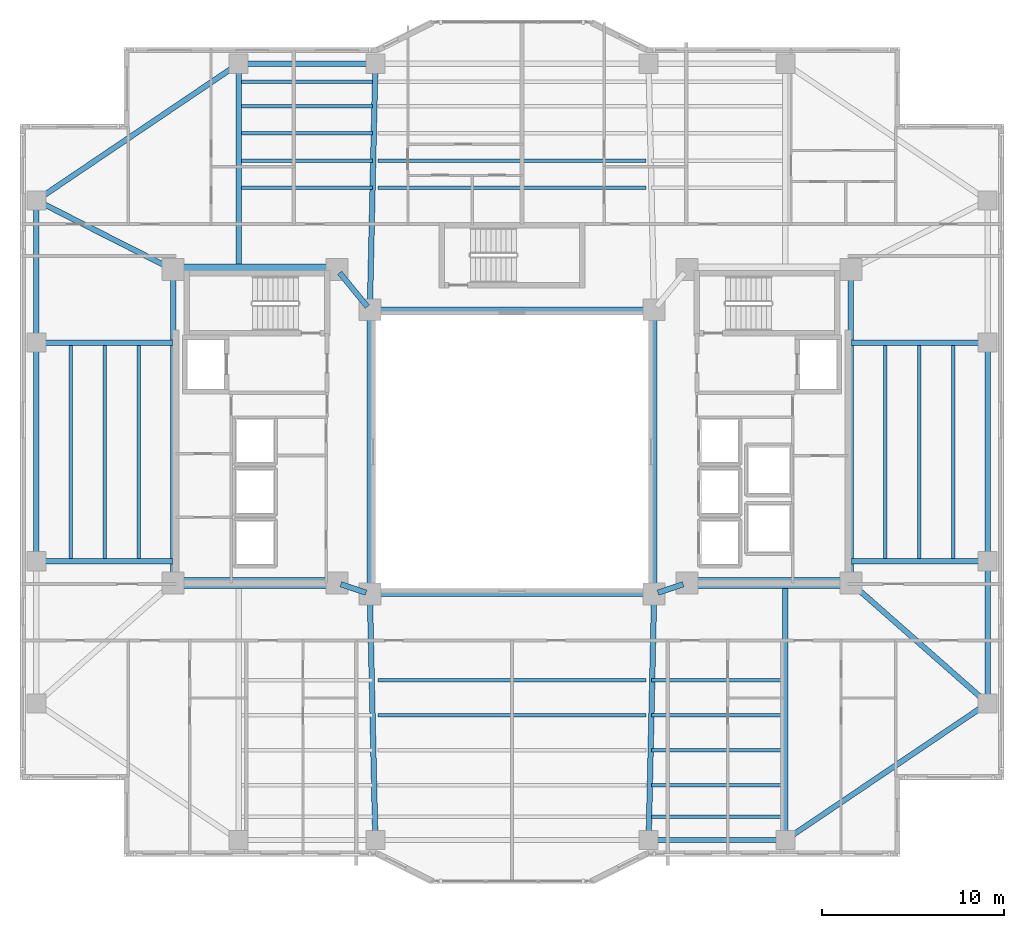
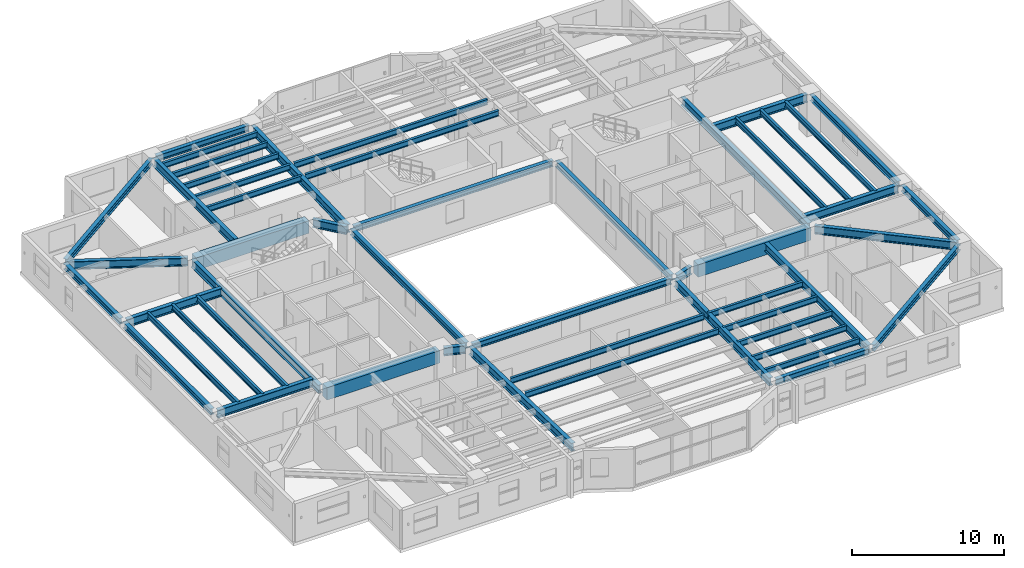
# One storey, part 3 of 18: 51 beams.
"""IFC4 building model written with IfcOpenShell, lengths in metres."""

import ifcopenshell
import ifcopenshell.guid

model = None  # the IFC model being written
_history = None  # IfcOwnerHistory: only IFC2X3 demands one
_inside = {}  # id of a spatial element -> (the spatial element, [elements in it])
_under = {}  # id of a project, library or spatial element -> (it, [spatial elements below it])
_declared = {}  # id of a project -> (the project, [libraries it declares])
_typed = {}  # id of a type object -> (the type object, [elements of that type])
_made_of = {}  # id of a material, layer set ... -> (it, [elements and type objects made of it])


def new_model(schema):
    """Start an empty IFC model of exactly this schema.

    Asked for "IFC4X3", IfcOpenShell would pick the latest addendum, in which some entities
    have other attributes; the version numbers below select the first issue.
    IFC2X3 requires an IfcOwnerHistory on every rooted entity: one is made here for all.
    """
    global model, _history
    if schema == "IFC4X3":
        model = ifcopenshell.file(schema_version=(4, 3, 0, 0))
    else:
        model = ifcopenshell.file(schema=schema)
    _inside.clear()
    _under.clear()
    _declared.clear()
    _typed.clear()
    _made_of.clear()
    _history = None
    if model.schema == "IFC2X3":
        org = make("IfcOrganization", Name="unknown")
        user = make(
            "IfcPersonAndOrganization",
            ThePerson=make("IfcPerson", FamilyName="unknown"),
            TheOrganization=org,
        )
        app = make(
            "IfcApplication",
            ApplicationDeveloper=org,
            Version="unknown",
            ApplicationFullName="unknown",
            ApplicationIdentifier="unknown",
        )
        _history = make(
            "IfcOwnerHistory",
            OwningUser=user,
            OwningApplication=app,
            ChangeAction="ADDED",
            CreationDate=0,
        )
    return model


def make(cls, **values):
    """One entity of the class cls with the attributes given. An attribute that is None is left unset."""
    return model.create_entity(
        cls, **{name: value for name, value in values.items() if value is not None}
    )


def rooted(cls, **values):
    """An entity with a GlobalId (a new one), such as an element, a storey or a relation."""
    return make(cls, GlobalId=ifcopenshell.guid.new(), OwnerHistory=_history, **values)


def si_unit(unit_type, name, prefix=None):
    """IfcSIUnit, for example si_unit("LENGTHUNIT", "METRE", prefix="MILLI")."""
    return make("IfcSIUnit", UnitType=unit_type, Prefix=prefix, Name=name)


def assignment(units):
    """IfcUnitAssignment: the units of a project."""
    return None if units is None else make("IfcUnitAssignment", Units=units)


def point(xyz):
    """IfcCartesianPoint."""
    return None if xyz is None else make("IfcCartesianPoint", Coordinates=xyz)


def direction(xyz):
    """IfcDirection."""
    return None if xyz is None else make("IfcDirection", DirectionRatios=xyz)


def frame(location, z_axis=None, x_axis=None):
    """IfcAxis2Placement3D, a coordinate frame: its origin and axes. An axis left out is left unset."""
    return make(
        "IfcAxis2Placement3D",
        Location=point(location),
        Axis=direction(z_axis),
        RefDirection=direction(x_axis),
    )


def frame_2d(location, x_axis=None):
    """IfcAxis2Placement2D, a coordinate frame in the plane: its origin and x axis."""
    return make(
        "IfcAxis2Placement2D", Location=point(location), RefDirection=direction(x_axis)
    )


def origin():
    """The frame at (0, 0, 0) with its axes left unset."""
    return frame((0.0, 0.0, 0.0))


def origin_2d():
    """The frame at (0, 0) in the plane with its x axis left unset."""
    return frame_2d((0.0, 0.0))


def place(relative_to, where):
    """IfcLocalPlacement: puts the frame where relative to a parent placement (None: the world)."""
    return make(
        "IfcLocalPlacement", PlacementRelTo=relative_to, RelativePlacement=where
    )


def context(
    kind, dimensions, precision=None, world=None, true_north=None, identifier=None
):
    """IfcGeometricRepresentationContext, for example the 3D "Model" context."""
    return make(
        "IfcGeometricRepresentationContext",
        ContextIdentifier=identifier,
        ContextType=kind,
        CoordinateSpaceDimension=dimensions,
        Precision=precision,
        WorldCoordinateSystem=world,
        TrueNorth=true_north,
    )


def subcontext(parent, identifier, kind, view, scale=None):
    """IfcGeometricRepresentationSubContext, for example "Body" below "Model"."""
    return make(
        "IfcGeometricRepresentationSubContext",
        ContextIdentifier=identifier,
        ContextType=kind,
        ParentContext=parent,
        TargetScale=scale,
        TargetView=view,
    )


def project(units=None, contexts=None):
    """IfcProject with its units and contexts."""
    return rooted(
        "IfcProject",
        Name="project",
        RepresentationContexts=contexts,
        UnitsInContext=assignment(units),
    )


def spatial(cls, under=None, at=None, **own):
    """A site, building, storey or space (cls), placed at a placement, below another one or the project."""
    s = rooted(cls, ObjectPlacement=at, **own)
    if under is not None:
        _under.setdefault(under.id(), (under, []))[1].append(s)
    return s


def profile(cls, at=None, kind="AREA", **sizes):
    """A parametric profile (cls). Its sizes go by their IFC names, for example OverallWidth=200.0."""
    return make(cls, ProfileType=kind, Position=at, **sizes)


def rectangle(**sizes):
    """IfcRectangleProfileDef."""
    return profile("IfcRectangleProfileDef", **sizes)


def i_section(**sizes):
    """IfcIShapeProfileDef."""
    return profile("IfcIShapeProfileDef", **sizes)


def extrude(swept, where, along, depth):
    """IfcExtrudedAreaSolid: the profile swept, set in the frame where, extruded along a direction by depth."""
    return make(
        "IfcExtrudedAreaSolid",
        SweptArea=swept,
        Position=where,
        ExtrudedDirection=direction(along),
        Depth=depth,
    )


def shape(context_of_items, identifier, shape_type, items):
    """IfcShapeRepresentation: the items that make up one representation, for example the "Body"."""
    return make(
        "IfcShapeRepresentation",
        ContextOfItems=context_of_items,
        RepresentationIdentifier=identifier,
        RepresentationType=shape_type,
        Items=items,
    )


def material(Name=None, Category=None):
    """IfcMaterial."""
    return make("IfcMaterial", Name=Name, Category=Category)


def material_profile(
    of_material, cross_section, Name=None, Category=None, Priority=None
):
    """IfcMaterialProfile: a cross section and its material."""
    return make(
        "IfcMaterialProfile",
        Name=Name,
        Material=of_material,
        Profile=cross_section,
        Priority=Priority,
        Category=Category,
    )


def profile_set(profiles, Name=None, composite=None):
    """IfcMaterialProfileSet."""
    return make(
        "IfcMaterialProfileSet",
        Name=Name,
        MaterialProfiles=profiles,
        CompositeProfile=composite,
    )


def made_of(thing, what):
    """Note that an element or type object is made of a material, layer set ...; save() writes the relation."""
    if what is not None:
        _made_of.setdefault(what.id(), (what, []))[1].append(thing)
    return thing


def type_object(cls, material=None, **own):
    """A type object (cls), such as IfcWallType, which elements share."""
    return made_of(rooted(cls, **own), material)


def element(
    cls,
    number,
    at=None,
    inside=None,
    cuts=None,
    type_object=None,
    material=None,
    context=None,
    identifier="Body",
    shape_type=None,
    held_by="IfcProductDefinitionShape",
    body=None,
    shapes=None,
    **own,
):
    """One element of the class cls, such as IfcWall. Its Tag is "e" and its number.

    at: its placement. inside: the storey or other place that contains it. cuts: it is an
    opening in that element (IfcRelVoidsElement). A single representation is given by context,
    identifier, shape_type and body (its items); several are given by shapes. held_by: the class
    of the entity that holds the representations. save() writes the other relations.
    """
    e = rooted(cls, Tag="e%d" % number, ObjectPlacement=at, **own)
    if body is not None:
        shapes = [shape(context, identifier, shape_type, body)]
    if shapes is not None:
        e.Representation = make(held_by, Representations=shapes)
    if inside is not None:
        _inside.setdefault(inside.id(), (inside, []))[1].append(e)
    if cuts is not None:
        rooted(
            "IfcRelVoidsElement", RelatingBuildingElement=cuts, RelatedOpeningElement=e
        )
    if type_object is not None:
        _typed.setdefault(type_object.id(), (type_object, []))[1].append(e)
    return made_of(e, material)


def aggregate(whole, parts):
    """IfcRelAggregates: a whole, such as a stair, and the parts it consists of."""
    return rooted("IfcRelAggregates", RelatingObject=whole, RelatedObjects=parts)


def save(model, path):
    """Write the relations noted so far, then the file.

    IfcRelAggregates (storeys below a building ...), IfcRelContainedInSpatialStructure (elements
    in a storey), IfcRelDefinesByType, IfcRelAssociatesMaterial and IfcRelDeclares: one each for
    every whole, place, type object, material and project.
    """
    for whole, parts in _under.values():
        aggregate(whole, parts)
    for where, things in _inside.values():
        rooted(
            "IfcRelContainedInSpatialStructure",
            RelatedElements=things,
            RelatingStructure=where,
        )
    for kind, things in _typed.values():
        rooted("IfcRelDefinesByType", RelatedObjects=things, RelatingType=kind)
    for what, things in _made_of.values():
        rooted("IfcRelAssociatesMaterial", RelatedObjects=things, RelatingMaterial=what)
    for by, libraries in _declared.values():
        rooted("IfcRelDeclares", RelatingContext=by, RelatedDefinitions=libraries)
    model.write(path)


model = new_model("IFC4")

# Units and contexts
model_context = context("Model", 3, precision=1e-05, world=origin(), true_north=direction((0.0, 1.0)))
body_context = subcontext(model_context, "Body", "Model", "MODEL_VIEW")
ifc_project = project(units=[si_unit("LENGTHUNIT", "METRE"), si_unit("AREAUNIT", "SQUARE_METRE"), si_unit("VOLUMEUNIT", "CUBIC_METRE"), si_unit("PLANEANGLEUNIT", "RADIAN"), si_unit("MASSUNIT", "GRAM", prefix="KILO")], contexts=[model_context])

# Site, building, storey
site_placement = place(None, origin())
site = spatial("IfcSite", under=ifc_project, at=site_placement, CompositionType="ELEMENT")
building_placement = place(site_placement, origin())
building = spatial("IfcBuilding", under=site, at=building_placement, Name="Tarnavaz Court Tower", CompositionType="ELEMENT")
storey_placement = place(building_placement, frame((0.0, 0.0, 101.75)))
storey = spatial("IfcBuildingStorey", under=building, at=storey_placement, Name="L27", CompositionType="ELEMENT", Elevation=101.75)

# Beams
ifc_material_1 = material(Name="Concrete C60/75", Category="concrete")
ifc_material_profile_1 = material_profile(ifc_material_1, rectangle(XDim=0.60009765625, YDim=1.0, at=origin_2d()), Name="RC 600X1000")
ifc_profile_set_1 = profile_set([ifc_material_profile_1], Name="Concrete C60/75")
beam_type_1 = type_object("IfcBeamType", Name="BM-CB1000", PredefinedType="LINTEL", material=ifc_profile_set_1)
for number, where, z_axis, x_axis, name in (
    (1, (-18.3798828125, -7.199951171875, 2.60009765625), (1.0, 0.0, 0.0), (0.0, 1.0, 0.0), "L27 Beam IN-CW-SO-CW-SI"),
    (2, (-18.3798828125, 10.0, 2.60009765625), (1.0, 0.0, 0.0), (0.0, 1.0, 0.0), "L27 Beam IN-CW-NO-CW-NI"),
    (3, (18.3798828125, -7.199951171875, 2.60009765625), (-1.0, 0.0, 0.0), (0.0, -1.0, 0.0), "L27 Beam IN-CE-SO-CE-SI"),
):
    element("IfcBeam", number, at=place(storey_placement, frame(where, z_axis=z_axis, x_axis=x_axis)), inside=storey, type_object=beam_type_1, Name=name, PredefinedType="LINTEL", context=body_context, shape_type="SweptSolid", body=[
        extrude(rectangle(XDim=0.60009765625, YDim=1.0, at=origin_2d()), origin(), (0.0, 0.0, 1.0), 8.559814453125),
    ])
ifc_material_2 = material(Name="Steel S355", Category="steel")
ifc_material_profile_2 = material_profile(ifc_material_2, i_section(OverallWidth=0.300048828125, OverallDepth=0.64990234375, WebThickness=0.01611328125, FlangeThickness=0.031005859375, FilletRadius=0.027099609375, at=origin_2d()), Name="HEB 650")
ifc_profile_set_2 = profile_set([ifc_material_profile_2], Name="Steel S355")
beam_type_2 = type_object("IfcBeamType", Name="BM-G-HEB650", PredefinedType="USERDEFINED", material=ifc_profile_set_2)
for number, where, z_axis, x_axis, name in (
    (4, (-9.391357421875, -7.26953125, 2.77490234375), (0.948666544706, -0.316278021615, 0.0), (0.316278021615, 0.948666544706, 0.0), "L27 Beam IN-CW-SI-IW-SW"),
    (5, (9.391357421875, -7.26953125, 2.77490234375), (-0.948666544706, -0.316278021615, 0.0), (0.316278021615, -0.948666544706, 0.0), "L27 Beam IN-CE-SI-IW-SE"),
):
    element("IfcBeam", number, at=place(storey_placement, frame(where, z_axis=z_axis, x_axis=x_axis)), inside=storey, type_object=beam_type_2, Name=name, ObjectType="GIRDER", PredefinedType="USERDEFINED", context=body_context, shape_type="SweptSolid", body=[
        extrude(i_section(OverallWidth=0.300048828125, OverallDepth=0.64990234375, WebThickness=0.01611328125, FlangeThickness=0.031005859375, FilletRadius=0.027099609375, at=origin_2d()), origin(), (0.0, 0.0, 1.0), 1.457275390625),
    ])
beam_1_placement = place(storey_placement, frame((-9.460693359375, 9.82958984375, 2.77490234375), z_axis=(0.633282058357, -0.773921077735, 0.0), x_axis=(0.773921077735, 0.633282058357, 0.0)))
element("IfcBeam", 6, at=beam_1_placement, inside=storey, type_object=beam_type_2, Name="L27 Beam IN-CW-NI-IW-NW", ObjectType="GIRDER", PredefinedType="USERDEFINED", context=body_context, shape_type="SweptSolid", body=[
    extrude(i_section(OverallWidth=0.300048828125, OverallDepth=0.64990234375, WebThickness=0.01611328125, FlangeThickness=0.031005859375, FilletRadius=0.027099609375, at=origin_2d()), origin(), (0.0, 0.0, 1.0), 2.402587890625),
])
for number, where, z_axis, x_axis, name in (
    (7, (-18.60009765625, -6.97998046875, 2.77490234375), (0.0, 1.0, 0.0), (-1.0, 0.0, 0.0), "L27 Beam IN-CW-SO-CW-NO"),
    (8, (18.60009765625, -6.97998046875, 2.77490234375), (0.0, 1.0, 0.0), (-1.0, 0.0, 0.0), "L27 Beam IN-CE-SO-CE-NO"),
):
    element("IfcBeam", number, at=place(storey_placement, frame(where, z_axis=z_axis, x_axis=x_axis)), inside=storey, type_object=beam_type_2, Name=name, ObjectType="GIRDER", PredefinedType="USERDEFINED", context=body_context, shape_type="SweptSolid", body=[
        extrude(i_section(OverallWidth=0.300048828125, OverallDepth=0.64990234375, WebThickness=0.01611328125, FlangeThickness=0.031005859375, FilletRadius=0.027099609375, at=origin_2d()), origin(), (0.0, 0.0, 1.0), 16.760009765625),
    ])
beam_2_placement = place(storey_placement, frame((-15.0, 10.0400390625, 2.77490234375), z_axis=(0.0, 1.0, 0.0), x_axis=(-1.0, 0.0, 0.0)))
element("IfcBeam", 9, at=beam_2_placement, inside=storey, type_object=beam_type_2, Name="L27 Beam RG-01", ObjectType="GIRDER", PredefinedType="USERDEFINED", context=body_context, shape_type="SweptSolid", body=[
    extrude(i_section(OverallWidth=0.300048828125, OverallDepth=0.64990234375, WebThickness=0.01611328125, FlangeThickness=0.031005859375, FilletRadius=0.027099609375, at=origin_2d()), origin(), (0.0, 0.0, 1.0), 11.0400390625),
])
for number, where, z_axis, x_axis, name in (
    (10, (-7.795166015625, 8.02001953125, 2.77490234375), (0.022221303469, 0.99975307635, 0.0), (-0.99975307635, 0.022221303469, 0.0), "L27 Beam RG-02"),
    (11, (-7.795166015625, -8.02001953125, 2.77490234375), (0.022221303469, -0.99975307635, 0.0), (0.99975307635, 0.022221303469, 0.0), "L27 Beam RG-06"),
    (12, (7.795166015625, -8.02001953125, 2.77490234375), (-0.022221303469, -0.99975307635, 0.0), (0.99975307635, -0.022221303469, 0.0), "L27 Beam RG-07"),
):
    element("IfcBeam", number, at=place(storey_placement, frame(where, z_axis=z_axis, x_axis=x_axis)), inside=storey, type_object=beam_type_2, Name=name, ObjectType="GIRDER", PredefinedType="USERDEFINED", context=body_context, shape_type="SweptSolid", body=[
        extrude(i_section(OverallWidth=0.300048828125, OverallDepth=0.64990234375, WebThickness=0.01611328125, FlangeThickness=0.031005859375, FilletRadius=0.027099609375, at=origin_2d()), origin(), (0.0, 0.0, 1.0), 13.063232421875),
    ])
beam_3_placement = place(storey_placement, frame((15.0, -7.239990234375, 2.77490234375), z_axis=(0.0, -1.0, 0.0), x_axis=(1.0, 0.0, 0.0)))
element("IfcBeam", 13, at=beam_3_placement, inside=storey, type_object=beam_type_2, Name="L27 Beam RG-08", ObjectType="GIRDER", PredefinedType="USERDEFINED", context=body_context, shape_type="SweptSolid", body=[
    extrude(i_section(OverallWidth=0.300048828125, OverallDepth=0.64990234375, WebThickness=0.01611328125, FlangeThickness=0.031005859375, FilletRadius=0.027099609375, at=origin_2d()), origin(), (0.0, 0.0, 1.0), 13.840087890625),
])
for number, where, z_axis, x_axis, name in (
    (14, (18.639892578125, -6.0, 2.77490234375), (1.0, 0.0, 0.0), (0.0, 1.0, 0.0), "L27 Beam RG-09"),
    (15, (18.639892578125, 6.0, 2.77490234375), (1.0, 0.0, 0.0), (0.0, 1.0, 0.0), "L27 Beam RG-10"),
):
    element("IfcBeam", number, at=place(storey_placement, frame(where, z_axis=z_axis, x_axis=x_axis)), inside=storey, type_object=beam_type_2, Name=name, ObjectType="GIRDER", PredefinedType="USERDEFINED", context=body_context, shape_type="SweptSolid", body=[
        extrude(i_section(OverallWidth=0.300048828125, OverallDepth=0.64990234375, WebThickness=0.01611328125, FlangeThickness=0.031005859375, FilletRadius=0.027099609375, at=origin_2d()), origin(), (0.0, 0.0, 1.0), 7.239990234375),
    ])
beam_4_placement = place(storey_placement, frame((18.76513671875, -7.34521484375, 2.77490234375), z_axis=(0.750700332035, -0.660642877417, 0.0), x_axis=(0.660642877417, 0.750700332035, 0.0)))
element("IfcBeam", 16, at=beam_4_placement, inside=storey, type_object=beam_type_2, Name="L27 Beam RG-11", ObjectType="GIRDER", PredefinedType="USERDEFINED", context=body_context, shape_type="SweptSolid", body=[
    extrude(i_section(OverallWidth=0.300048828125, OverallDepth=0.64990234375, WebThickness=0.01611328125, FlangeThickness=0.031005859375, FilletRadius=0.027099609375, at=origin_2d()), origin(), (0.0, 0.0, 1.0), 9.550537109375),
])
for number, where, z_axis, x_axis, name in (
    (17, (-18.639892578125, -6.0, 2.77490234375), (-1.0, 0.0, 0.0), (0.0, -1.0, 0.0), "L27 Beam RG-13"),
    (18, (-18.639892578125, 6.0, 2.77490234375), (-1.0, 0.0, 0.0), (0.0, -1.0, 0.0), "L27 Beam RG-14"),
):
    element("IfcBeam", number, at=place(storey_placement, frame(where, z_axis=z_axis, x_axis=x_axis)), inside=storey, type_object=beam_type_2, Name=name, ObjectType="GIRDER", PredefinedType="USERDEFINED", context=body_context, shape_type="SweptSolid", body=[
        extrude(i_section(OverallWidth=0.300048828125, OverallDepth=0.64990234375, WebThickness=0.01611328125, FlangeThickness=0.031005859375, FilletRadius=0.027099609375, at=origin_2d()), origin(), (0.0, 0.0, 1.0), 7.239990234375),
    ])
beam_5_placement = place(storey_placement, frame((-18.796142578125, 10.099365234375, 2.77490234375), z_axis=(-0.892030669981, 0.451974870776, 0.0), x_axis=(-0.451974870776, -0.892030669981, 0.0)))
element("IfcBeam", 19, at=beam_5_placement, inside=storey, type_object=beam_type_2, Name="L27 Beam RG-16", ObjectType="GIRDER", PredefinedType="USERDEFINED", context=body_context, shape_type="SweptSolid", body=[
    extrude(i_section(OverallWidth=0.300048828125, OverallDepth=0.64990234375, WebThickness=0.01611328125, FlangeThickness=0.031005859375, FilletRadius=0.027099609375, at=origin_2d()), origin(), (0.0, 0.0, 1.0), 7.968017578125),
])
ifc_material_profile_3 = material_profile(ifc_material_2, i_section(OverallWidth=0.18994140625, OverallDepth=0.449951171875, WebThickness=0.009521484375, FlangeThickness=0.0146484375, FilletRadius=0.02099609375, at=origin_2d()), Name="IPE 450")
ifc_profile_set_3 = profile_set([ifc_material_profile_3], Name="Steel S355")
beam_type_3 = type_object("IfcBeamType", Name="BM-J-IPE450", PredefinedType="JOIST", material=ifc_profile_set_3)
beam_6_placement = place(storey_placement, frame((-14.85009765625, 14.493896484375, 2.875), z_axis=(1.0, 0.0, 0.0), x_axis=(0.0, 1.0, 0.0)))
element("IfcBeam", 20, at=beam_6_placement, inside=storey, type_object=beam_type_3, Name="L27 Beam JN1-1", PredefinedType="JOIST", context=body_context, shape_type="SweptSolid", body=[
    extrude(i_section(OverallWidth=0.18994140625, OverallDepth=0.449951171875, WebThickness=0.009521484375, FlangeThickness=0.0146484375, FilletRadius=0.02099609375, at=origin_2d()), origin(), (0.0, 0.0, 1.0), 7.2001953125),
])
for number, where, z_axis, x_axis, name in (
    (21, (-7.35009765625, 14.493896484375, 2.875), (1.0, 0.0, 0.0), (0.0, 1.0, 0.0), "L27 Beam JN1-2"),
    (22, (-7.35009765625, -12.52587890625, 2.875), (1.0, 0.0, 0.0), (0.0, 1.0, 0.0), "L27 Beam JS1-2"),
):
    element("IfcBeam", number, at=place(storey_placement, frame(where, z_axis=z_axis, x_axis=x_axis)), inside=storey, type_object=beam_type_3, Name=name, PredefinedType="JOIST", context=body_context, shape_type="SweptSolid", body=[
        extrude(i_section(OverallWidth=0.18994140625, OverallDepth=0.449951171875, WebThickness=0.009521484375, FlangeThickness=0.0146484375, FilletRadius=0.02099609375, at=origin_2d()), origin(), (0.0, 0.0, 1.0), 14.7001953125),
    ])
for number, where, z_axis, x_axis, name in (
    (23, (7.64990234375, -12.52587890625, 2.875), (1.0, 0.0, 0.0), (0.0, 1.0, 0.0), "L27 Beam JS1-3"),
    (24, (-14.85009765625, 15.988037109375, 2.875), (1.0, 0.0, 0.0), (0.0, 1.0, 0.0), "L27 Beam JN2-1"),
):
    element("IfcBeam", number, at=place(storey_placement, frame(where, z_axis=z_axis, x_axis=x_axis)), inside=storey, type_object=beam_type_3, Name=name, PredefinedType="JOIST", context=body_context, shape_type="SweptSolid", body=[
        extrude(i_section(OverallWidth=0.18994140625, OverallDepth=0.449951171875, WebThickness=0.009521484375, FlangeThickness=0.0146484375, FilletRadius=0.02099609375, at=origin_2d()), origin(), (0.0, 0.0, 1.0), 7.2001953125),
    ])
for number, where, z_axis, x_axis, name in (
    (25, (-7.35009765625, 15.988037109375, 2.875), (1.0, 0.0, 0.0), (0.0, 1.0, 0.0), "L27 Beam JN2-2"),
    (26, (-7.35009765625, -14.451904296875, 2.875), (1.0, 0.0, 0.0), (0.0, 1.0, 0.0), "L27 Beam JS2-2"),
):
    element("IfcBeam", number, at=place(storey_placement, frame(where, z_axis=z_axis, x_axis=x_axis)), inside=storey, type_object=beam_type_3, Name=name, PredefinedType="JOIST", context=body_context, shape_type="SweptSolid", body=[
        extrude(i_section(OverallWidth=0.18994140625, OverallDepth=0.449951171875, WebThickness=0.009521484375, FlangeThickness=0.0146484375, FilletRadius=0.02099609375, at=origin_2d()), origin(), (0.0, 0.0, 1.0), 14.7001953125),
    ])
for number, where, z_axis, x_axis, name in (
    (27, (7.64990234375, -14.451904296875, 2.875), (1.0, 0.0, 0.0), (0.0, 1.0, 0.0), "L27 Beam JS2-3"),
    (28, (-14.85009765625, 17.48193359375, 2.875), (1.0, 0.0, 0.0), (0.0, 1.0, 0.0), "L27 Beam JN3-1"),
    (29, (7.64990234375, -16.3779296875, 2.875), (1.0, 0.0, 0.0), (0.0, 1.0, 0.0), "L27 Beam JS3-3"),
    (30, (-14.85009765625, 18.97607421875, 2.875), (1.0, 0.0, 0.0), (0.0, 1.0, 0.0), "L27 Beam JN4-1"),
    (31, (7.64990234375, -18.303955078125, 2.875), (1.0, 0.0, 0.0), (0.0, 1.0, 0.0), "L27 Beam JS4-3"),
    (32, (-14.85009765625, 20.303955078125, 2.875), (1.0, 0.0, 0.0), (0.0, 1.0, 0.0), "L27 Beam JN5-1"),
    (33, (7.64990234375, -20.01611328125, 2.875), (1.0, 0.0, 0.0), (0.0, 1.0, 0.0), "L27 Beam JS5-3"),
):
    element("IfcBeam", number, at=place(storey_placement, frame(where, z_axis=z_axis, x_axis=x_axis)), inside=storey, type_object=beam_type_3, Name=name, PredefinedType="JOIST", context=body_context, shape_type="SweptSolid", body=[
        extrude(i_section(OverallWidth=0.18994140625, OverallDepth=0.449951171875, WebThickness=0.009521484375, FlangeThickness=0.0146484375, FilletRadius=0.02099609375, at=origin_2d()), origin(), (0.0, 0.0, 1.0), 7.2001953125),
    ])
for number, where, z_axis, x_axis, name in (
    (34, (20.47509765625, -5.9599609375, 2.875), (0.0, 1.0, 0.0), (-1.0, 0.0, 0.0), "L27 Beam JE1"),
    (35, (-20.47509765625, -5.9599609375, 2.875), (0.0, 1.0, 0.0), (-1.0, 0.0, 0.0), "L27 Beam JW1"),
    (36, (22.35009765625, -5.9599609375, 2.875), (0.0, 1.0, 0.0), (-1.0, 0.0, 0.0), "L27 Beam JE2"),
    (37, (-22.35009765625, -5.9599609375, 2.875), (0.0, 1.0, 0.0), (-1.0, 0.0, 0.0), "L27 Beam JW2"),
    (38, (24.22509765625, -5.9599609375, 2.875), (0.0, 1.0, 0.0), (-1.0, 0.0, 0.0), "L27 Beam JE3"),
    (39, (-24.22509765625, -5.9599609375, 2.875), (0.0, 1.0, 0.0), (-1.0, 0.0, 0.0), "L27 Beam JW3"),
):
    element("IfcBeam", number, at=place(storey_placement, frame(where, z_axis=z_axis, x_axis=x_axis)), inside=storey, type_object=beam_type_3, Name=name, PredefinedType="JOIST", context=body_context, shape_type="SweptSolid", body=[
        extrude(i_section(OverallWidth=0.18994140625, OverallDepth=0.449951171875, WebThickness=0.009521484375, FlangeThickness=0.0146484375, FilletRadius=0.02099609375, at=origin_2d()), origin(), (0.0, 0.0, 1.0), 11.919921875),
    ])
ifc_material_profile_4 = material_profile(ifc_material_2, i_section(OverallWidth=0.300048828125, OverallDepth=0.489990234375, WebThickness=0.011962890625, FlangeThickness=0.02294921875, FilletRadius=0.027099609375, at=origin_2d()), Name="HEA 500")
ifc_profile_set_4 = profile_set([ifc_material_profile_4], Name="Steel S355")
beam_type_4 = type_object("IfcBeamType", Name="BM-SP-HEA500", PredefinedType="SPANDREL", material=ifc_profile_set_4)
for number, where, z_axis, x_axis, name in (
    (40, (-7.580078125, -7.800048828125, 2.85498046875), (1.0, 0.0, 0.0), (0.0, 1.0, 0.0), "L27 Beam IN-IW-SW-IW-SE"),
    (41, (-7.580078125, 7.800048828125, 2.85498046875), (1.0, 0.0, 0.0), (0.0, 1.0, 0.0), "L27 Beam IN-IW-NW-IW-NE"),
    (42, (-7.800048828125, -7.580078125, 2.85498046875), (0.0, 1.0, 0.0), (-1.0, 0.0, 0.0), "L27 Beam IN-IW-SW-IW-NW"),
    (43, (7.800048828125, -7.580078125, 2.85498046875), (0.0, 1.0, 0.0), (-1.0, 0.0, 0.0), "L27 Beam IN-IW-SE-IW-NE"),
):
    element("IfcBeam", number, at=place(storey_placement, frame(where, z_axis=z_axis, x_axis=x_axis)), inside=storey, type_object=beam_type_4, Name=name, PredefinedType="SPANDREL", context=body_context, shape_type="SweptSolid", body=[
        extrude(i_section(OverallWidth=0.300048828125, OverallDepth=0.489990234375, WebThickness=0.011962890625, FlangeThickness=0.02294921875, FilletRadius=0.027099609375, at=origin_2d()), origin(), (0.0, 0.0, 1.0), 15.16015625),
    ])
for number, where, z_axis, x_axis, name in (
    (44, (-14.780029296875, 21.300048828125, 2.85498046875), (1.0, 0.0, 0.0), (0.0, 1.0, 0.0), "L27 Beam PR-PN-1-PN-2"),
    (45, (7.719970703125, -21.300048828125, 2.85498046875), (1.0, 0.0, 0.0), (0.0, 1.0, 0.0), "L27 Beam PR-PS-3-PS-4"),
):
    element("IfcBeam", number, at=place(storey_placement, frame(where, z_axis=z_axis, x_axis=x_axis)), inside=storey, type_object=beam_type_4, Name=name, PredefinedType="SPANDREL", context=body_context, shape_type="SweptSolid", body=[
        extrude(i_section(OverallWidth=0.300048828125, OverallDepth=0.489990234375, WebThickness=0.011962890625, FlangeThickness=0.02294921875, FilletRadius=0.027099609375, at=origin_2d()), origin(), (0.0, 0.0, 1.0), 7.06005859375),
    ])
beam_7_placement = place(storey_placement, frame((26.10009765625, -13.580078125, 2.85498046875), z_axis=(0.0, 1.0, 0.0), x_axis=(-1.0, 0.0, 0.0)))
element("IfcBeam", 46, at=beam_7_placement, inside=storey, type_object=beam_type_4, Name="L27 Beam PR-PE-1-PE-2", PredefinedType="SPANDREL", context=body_context, shape_type="SweptSolid", body=[
    extrude(i_section(OverallWidth=0.300048828125, OverallDepth=0.489990234375, WebThickness=0.011962890625, FlangeThickness=0.02294921875, FilletRadius=0.027099609375, at=origin_2d()), origin(), (0.0, 0.0, 1.0), 7.360107421875),
])
for number, where, z_axis, x_axis, name in (
    (47, (26.10009765625, -5.780029296875, 2.85498046875), (0.0, 1.0, 0.0), (-1.0, 0.0, 0.0), "L27 Beam PR-PE-2-PE-3"),
    (48, (-26.10009765625, -5.780029296875, 2.85498046875), (0.0, 1.0, 0.0), (-1.0, 0.0, 0.0), "L27 Beam PR-PW-2-PW-3"),
):
    element("IfcBeam", number, at=place(storey_placement, frame(where, z_axis=z_axis, x_axis=x_axis)), inside=storey, type_object=beam_type_4, Name=name, PredefinedType="SPANDREL", context=body_context, shape_type="SweptSolid", body=[
        extrude(i_section(OverallWidth=0.300048828125, OverallDepth=0.489990234375, WebThickness=0.011962890625, FlangeThickness=0.02294921875, FilletRadius=0.027099609375, at=origin_2d()), origin(), (0.0, 0.0, 1.0), 11.56005859375),
    ])
beam_8_placement = place(storey_placement, frame((-26.10009765625, 6.219970703125, 2.85498046875), z_axis=(0.0, 1.0, 0.0), x_axis=(-1.0, 0.0, 0.0)))
element("IfcBeam", 49, at=beam_8_placement, inside=storey, type_object=beam_type_4, Name="L27 Beam PR-PW-3-PW-4", PredefinedType="SPANDREL", context=body_context, shape_type="SweptSolid", body=[
    extrude(i_section(OverallWidth=0.300048828125, OverallDepth=0.489990234375, WebThickness=0.011962890625, FlangeThickness=0.02294921875, FilletRadius=0.027099609375, at=origin_2d()), origin(), (0.0, 0.0, 1.0), 7.360107421875),
])
for number, where, z_axis, x_axis, name in (
    (50, (25.917724609375, -13.923095703125, 2.85498046875), (-0.828587314918, -0.559859858854, 0.0), (0.559859858854, -0.828587314918, 0.0), "L27 Beam PR-PE-1-PS-4"),
    (51, (-25.917724609375, 13.923095703125, 2.85498046875), (0.828587314918, 0.559859858854, 0.0), (-0.559859858854, 0.828587314918, 0.0), "L27 Beam PR-PW-4-PN-1"),
):
    element("IfcBeam", number, at=place(storey_placement, frame(where, z_axis=z_axis, x_axis=x_axis)), inside=storey, type_object=beam_type_4, Name=name, PredefinedType="SPANDREL", context=body_context, shape_type="SweptSolid", body=[
        extrude(i_section(OverallWidth=0.300048828125, OverallDepth=0.489990234375, WebThickness=0.011962890625, FlangeThickness=0.02294921875, FilletRadius=0.027099609375, at=origin_2d()), origin(), (0.0, 0.0, 1.0), 12.956298828125),
    ])

save(model, "model.ifc")
